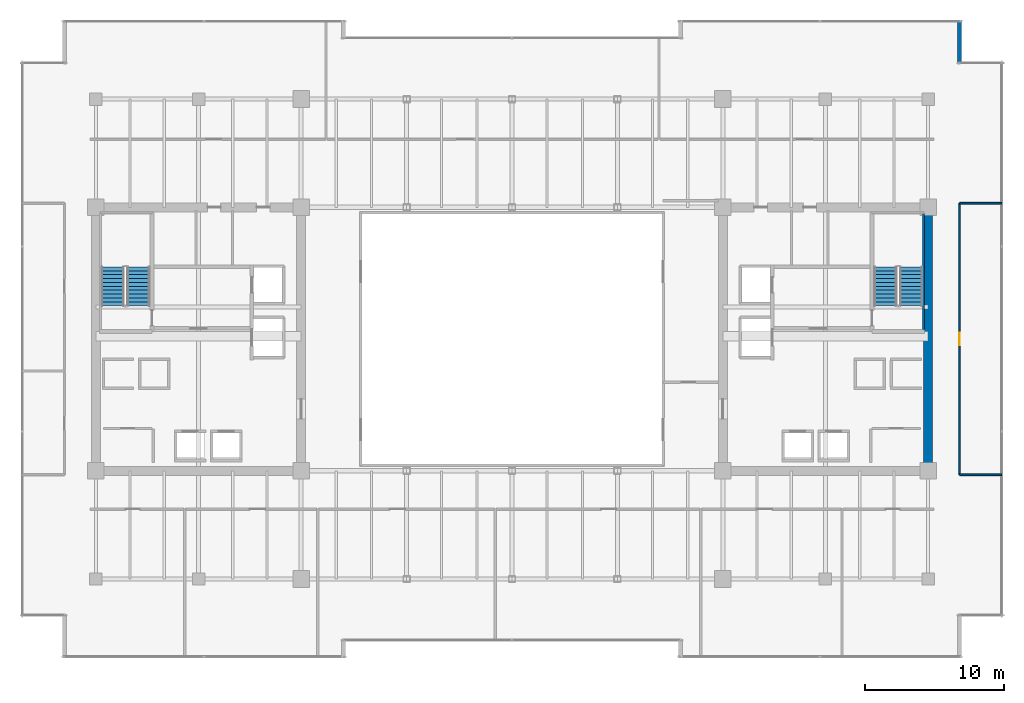
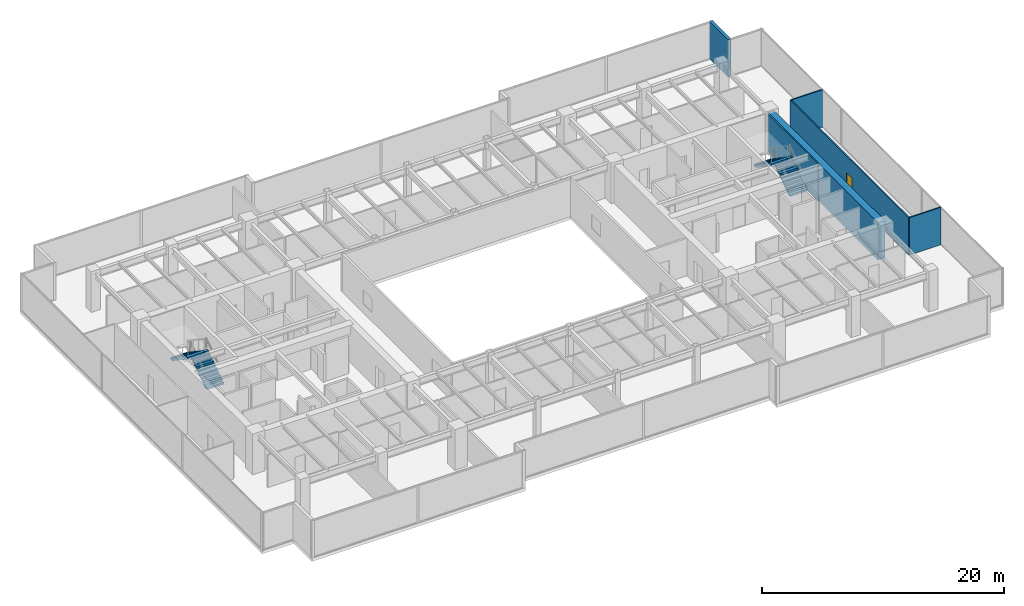
# One storey, part 28 of 30: 6 walls, 4 stair flights, 1 door, 1 opening, 2 elements without a shape of their own.
"""IFC4 building model written with IfcOpenShell, lengths in metres."""

from ifc_helpers import new_model, si_unit, direction, frame, frame_2d, origin, place, context, subcontext, project, spatial, polyline, rectangle, outline, extrude, source, transform, mapped, material, layer, layer_set, type_object, type_shapes, element, fill, aggregate, save


model = new_model("IFC4")

# Units and contexts
model_context = context("Model", 3, precision=1e-05, world=origin(), true_north=direction((0.0, 1.0)))
body_context = subcontext(model_context, "Body", "Model", "MODEL_VIEW")
ifc_project = project(units=[si_unit("LENGTHUNIT", "METRE"), si_unit("AREAUNIT", "SQUARE_METRE"), si_unit("VOLUMEUNIT", "CUBIC_METRE"), si_unit("PLANEANGLEUNIT", "RADIAN"), si_unit("MASSUNIT", "GRAM", prefix="KILO")], contexts=[model_context])

# Site, building, storey
site_placement = place(None, origin())
site = spatial("IfcSite", under=ifc_project, at=site_placement, CompositionType="ELEMENT")
building_placement = place(site_placement, origin())
building = spatial("IfcBuilding", under=site, at=building_placement, Name="Haelvirn Gate Laboratories", CompositionType="ELEMENT")
storey_placement = place(building_placement, frame((0.0, 0.0, 125.60009765625)))
storey = spatial("IfcBuildingStorey", under=building, at=storey_placement, Name="L30", CompositionType="ELEMENT", Elevation=125.60009765625)

# Walls
ifc_material_1 = material(Name="Thermally-broken bronze aluminium rainscreen & mineral wool", Category="aluminium")
ifc_layer_1 = layer(ifc_material_1, 0.280029296875, Name="EW-TERR-280")
ifc_layer_set_1 = layer_set([ifc_layer_1], Name="Thermally-broken bronze aluminium rainscreen & mineral wool")
wall_type_1 = type_object("IfcWallType", Name="EW-TERR-280", PredefinedType="STANDARD", material=ifc_layer_set_1)
wall_1_placement = place(storey_placement, frame((69.659912109375, 44.2119140625, 0.0), z_axis=(0.0, 0.0, 1.0), x_axis=(0.0, 1.0, 0.0)))
element("IfcWall", 1, at=wall_1_placement, inside=storey, type_object=wall_type_1, Name="L30 Atrium Recess Bronze Return Wall 09", PredefinedType="STANDARD", context=body_context, shape_type="SweptSolid", body=[
    extrude(rectangle(XDim=3.088134765625, YDim=0.280029296875, at=frame_2d((1.5439453125, 0.0))), origin(), (0.0, 0.0, 1.0), 3.789794921875),
])
ifc_material_2 = material(Name="Lightweight acoustic gypsum board partition", Category="gypsum")
ifc_layer_2 = layer(ifc_material_2, 0.1201171875, Name="IW-PART-120")
ifc_layer_set_2 = layer_set([ifc_layer_2], Name="Lightweight acoustic gypsum board partition")
wall_type_2 = type_object("IfcWallType", Name="IW-PART-120", PredefinedType="PARTITIONING", material=ifc_layer_set_2)
for number, where, z_axis, x_axis, name in (
    (2, (69.669921875, 14.514892578125, 0.0), (0.0, 0.0, 1.0), (1.0, 0.0, 0.0), "L30 Interior Wall IW-L30-ECAP-S"),
    (3, (69.669921875, 34.0849609375, 0.0), (0.0, 0.0, 1.0), (1.0, 0.0, 0.0), "L30 Interior Wall IW-L30-ECAP-N"),
):
    element("IfcWall", number, at=place(storey_placement, frame(where, z_axis=z_axis, x_axis=x_axis)), inside=storey, type_object=wall_type_2, Name=name, PredefinedType="PARTITIONING", context=body_context, shape_type="SweptSolid", body=[
        extrude(rectangle(XDim=3.02001953125, YDim=0.1201171875, at=frame_2d((1.510009765625, 0.0))), origin(), (0.0, 0.0, 1.0), 3.789794921875),
    ])

# Wall, opening, door
wall_2_placement = place(storey_placement, frame((69.669921875, 14.514892578125, 0.0), z_axis=(0.0, 0.0, 1.0), x_axis=(0.0, 1.0, 0.0)))
wall_2 = element("IfcWall", 4, at=wall_2_placement, inside=storey, type_object=wall_type_2, Name="L30 Interior Wall IW-L30-EPASS-01", PredefinedType="PARTITIONING", context=body_context, shape_type="SweptSolid", body=[
    extrude(rectangle(XDim=19.570068359375, YDim=0.1201171875, at=frame_2d((9.78515625, 0.0))), origin(), (0.0, 0.0, 1.0), 3.789794921875),
])
opening_placement = place(wall_2_placement, frame((9.3349609375, 0.0, 0.0)))
opening = element("IfcOpeningElement", 5, at=opening_placement, cuts=wall_2, Name="Opening D4", PredefinedType="OPENING", context=body_context, shape_type="SweptSolid", body=[
    extrude(rectangle(XDim=0.89990234375, YDim=2.10009765625, at=frame_2d((0.449951171875, 1.050048828125))), frame((0.0, 0.070068359375, 0.0), z_axis=(0.0, -1.0, 0.0), x_axis=(1.0, 0.0, 0.0)), (0.0, 0.0, 1.0), 0.14013671875),
])
ifc_material_3 = material(Name="Glazed aluminium-framed write-up door", Category="aluminium")
door_type = type_object("IfcDoorType", Name="DR-OFF-900", OperationType="NOTDEFINED", PredefinedType="DOOR", material=ifc_material_3)
shared_shape_1 = source(origin(), body_context, "Body", "SweptSolid", [
    extrude(rectangle(XDim=0.89990234375, YDim=2.10009765625, at=frame_2d((0.449951171875, 1.050048828125))), frame((0.0, 0.02490234375, 0.0), z_axis=(0.0, -1.0, 0.0), x_axis=(1.0, 0.0, 0.0)), (0.0, 0.0, 1.0), 0.050048828125),
])
type_shapes(door_type, [shared_shape_1])
door_placement = place(opening_placement, origin())
door = element("IfcDoor", 6, at=door_placement, inside=storey, type_object=door_type, Name="L30 Chemical Synthesis Laboratory Door E1", OperationType="SINGLE_SWING_LEFT", OverallHeight=2.10009765625, OverallWidth=0.89990234375, PredefinedType="DOOR", context=body_context, shape_type="MappedRepresentation", body=[
    mapped(shared_shape_1, transform((0.0, 0.0, 0.0), scale=1.0)),
])
fill(opening, door)

# Walls
ifc_material_4 = material(Name="Concrete C60/75", Category="concrete")
ifc_layer_3 = layer(ifc_material_4, 0.64990234375, Name="SW-CORE-650")
ifc_layer_set_3 = layer_set([ifc_layer_3], Name="Concrete C60/75")
wall_type_3 = type_object("IfcWallType", Name="SW-CORE-650", PredefinedType="SHEAR", material=ifc_layer_set_3)
wall_3_placement = place(storey_placement, frame((67.39990234375, 15.125, 0.0), z_axis=(0.0, 0.0, 1.0), x_axis=(0.0, 1.0, 0.0)))
element("IfcWall", 7, at=wall_3_placement, inside=storey, type_object=wall_type_3, Name="L30 E Core Shear Wall E", PredefinedType="SHEAR", context=body_context, shape_type="SweptSolid", body=[
    extrude(rectangle(XDim=18.35009765625, YDim=0.64990234375, at=frame_2d((9.175048828125, 0.0))), origin(), (0.0, 0.0, 1.0), 3.789794921875),
])
ifc_material_5 = material(Name="Concrete C50/60", Category="concrete")
ifc_layer_4 = layer(ifc_material_5, 0.1201171875, Name="SW-LINER-120")
ifc_layer_set_4 = layer_set([ifc_layer_4], Name="Concrete C50/60")
wall_type_4 = type_object("IfcWallType", Name="SW-LINER-120", PredefinedType="SOLIDWALL", material=ifc_layer_set_4)
wall_4_placement = place(storey_placement, frame((67.070068359375, 25.0, 0.0), z_axis=(0.0, 0.0, 1.0), x_axis=(0.0, 1.0, 0.0)))
element("IfcWall", 8, at=wall_4_placement, inside=storey, type_object=wall_type_4, Name="L30 E Core Stair Shaft Liner Wall OUT", PredefinedType="SOLIDWALL", context=body_context, shape_type="SweptSolid", body=[
    extrude(rectangle(XDim=8.320068359375, YDim=0.1201171875, at=frame_2d((4.16015625, 0.0))), origin(), (0.0, 0.0, 1.0), 3.789794921875),
])

# Stair, stair flights
ifc_material_6 = material(Name="Concrete C40/50", Category="concrete")
stair_type = type_object("IfcStairType", Name="ST-DOG-1650-R22", PredefinedType="HALF_TURN_STAIR", material=ifc_material_6)
stair_1_placement = place(storey_placement, origin())
stair_1 = element("IfcStair", 9, at=stair_1_placement, inside=storey, type_object=stair_type, Name="L30 Escape Stair ST1", PredefinedType="HALF_TURN_STAIR")
stair_flight_type = type_object("IfcStairFlightType", Name="STF-1650-R11", PredefinedType="STRAIGHT", material=ifc_material_6)
shared_shape_2 = source(origin(), body_context, "Body", "SweptSolid", [
    extrude(outline(polyline([(0.0, 0.0), (0.0, 0.186279296875), (0.280029296875, 0.186279296875), (0.280029296875, 0.372802734375), (0.56005859375, 0.372802734375), (0.56005859375, 0.55908203125), (0.840087890625, 0.55908203125), (0.840087890625, 0.745361328125), (1.1201171875, 0.745361328125), (1.1201171875, 0.931884765625), (1.39990234375, 0.931884765625), (1.39990234375, 1.1181640625), (1.679931640625, 1.1181640625), (1.679931640625, 1.304443359375), (1.9599609375, 1.304443359375), (1.9599609375, 1.490966796875), (2.239990234375, 1.490966796875), (2.239990234375, 1.67724609375), (2.52001953125, 1.67724609375), (2.52001953125, 1.863525390625), (2.800048828125, 1.863525390625), (2.800048828125, 2.050048828125), (2.800048828125, 1.671630859375), (0.28857421875, 0.0), (0.0, 0.0)])), frame((0.0, 0.824951171875, 0.0), z_axis=(0.0, -1.0, 0.0), x_axis=(1.0, 0.0, 0.0)), (0.0, 0.0, 1.0), 1.64990234375),
])
type_shapes(stair_flight_type, [shared_shape_2])
stair_flight_1_placement = place(storey_placement, frame((10.47509765625, 26.699951171875, 0.0), z_axis=(0.0, 0.0, 1.0), x_axis=(0.0, 1.0, 0.0)))
stair_flight_1 = element("IfcStairFlight", 10, at=stair_flight_1_placement, type_object=stair_flight_type, Name="ST1 flight 1", NumberOfRisers=11, NumberOfTreads=10, PredefinedType="STRAIGHT", RiserHeight=0.186363636, TreadLength=0.28, context=body_context, shape_type="MappedRepresentation", body=[
    mapped(shared_shape_2, transform((0.0, 0.0, 0.0), scale=1.0)),
])
stair_flight_2_placement = place(storey_placement, frame((8.625, 29.5, 2.0498046875), z_axis=(0.0, 0.0, 1.0), x_axis=(0.0, -1.0, 0.0)))
stair_flight_2 = element("IfcStairFlight", 11, at=stair_flight_2_placement, type_object=stair_flight_type, Name="ST1 flight 2", NumberOfRisers=11, NumberOfTreads=10, PredefinedType="STRAIGHT", RiserHeight=0.186363636, TreadLength=0.28, context=body_context, shape_type="MappedRepresentation", body=[
    mapped(shared_shape_2, transform((0.0, 0.0, 0.0), scale=1.0)),
])
aggregate(stair_1, [stair_flight_1, stair_flight_2])

stair_2_placement = place(storey_placement, origin())
stair_2 = element("IfcStair", 12, at=stair_2_placement, inside=storey, type_object=stair_type, Name="L30 Escape Stair ST2", PredefinedType="HALF_TURN_STAIR")
stair_flight_3_placement = place(storey_placement, frame((66.175048828125, 26.699951171875, 0.0), z_axis=(0.0, 0.0, 1.0), x_axis=(0.0, 1.0, 0.0)))
stair_flight_3 = element("IfcStairFlight", 13, at=stair_flight_3_placement, type_object=stair_flight_type, Name="ST2 flight 1", NumberOfRisers=11, NumberOfTreads=10, PredefinedType="STRAIGHT", RiserHeight=0.186363636, TreadLength=0.28, context=body_context, shape_type="MappedRepresentation", body=[
    mapped(shared_shape_2, transform((0.0, 0.0, 0.0), scale=1.0)),
])
stair_flight_4_placement = place(storey_placement, frame((64.324951171875, 29.5, 2.0498046875), z_axis=(0.0, 0.0, 1.0), x_axis=(0.0, -1.0, 0.0)))
stair_flight_4 = element("IfcStairFlight", 14, at=stair_flight_4_placement, type_object=stair_flight_type, Name="ST2 flight 2", NumberOfRisers=11, NumberOfTreads=10, PredefinedType="STRAIGHT", RiserHeight=0.186363636, TreadLength=0.28, context=body_context, shape_type="MappedRepresentation", body=[
    mapped(shared_shape_2, transform((0.0, 0.0, 0.0), scale=1.0)),
])
aggregate(stair_2, [stair_flight_3, stair_flight_4])

save(model, "model.ifc")
